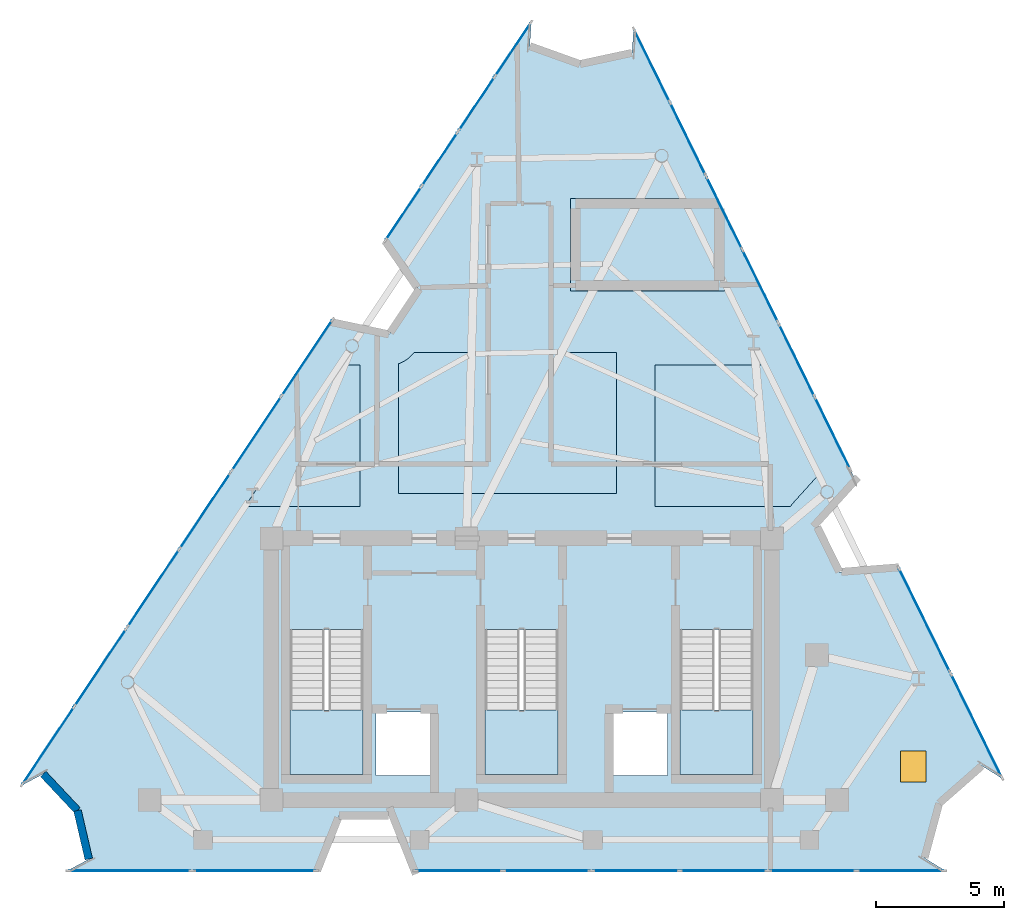
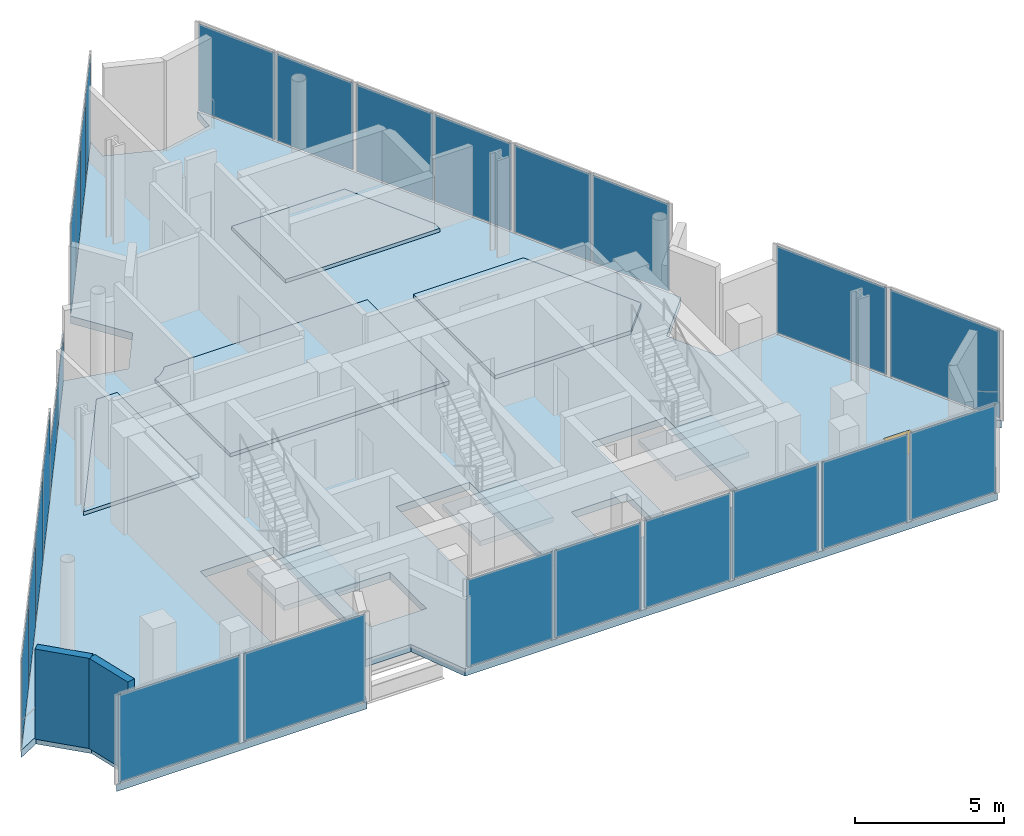
# One storey, part 5 of 9: 26 plates, 8 slabs, 2 walls, 1 door, 1 opening, 18 elements without a shape of their own.
"""IFC4 building model written with IfcOpenShell, lengths in metres."""

from ifc_helpers import new_model, si_unit, direction, frame, frame_2d, origin, origin_2d, place, context, subcontext, project, spatial, polyline, rectangle, outline, extrude, material, layer, layer_set, type_object, element, fill, aggregate, save


model = new_model("IFC4")

# Units and contexts
model_context = context("Model", 3, precision=1e-05, world=origin(), true_north=direction((0.0, 1.0)))
body_context = subcontext(model_context, "Body", "Model", "MODEL_VIEW")
ifc_project = project(units=[si_unit("LENGTHUNIT", "METRE"), si_unit("AREAUNIT", "SQUARE_METRE"), si_unit("VOLUMEUNIT", "CUBIC_METRE"), si_unit("PLANEANGLEUNIT", "RADIAN"), si_unit("MASSUNIT", "GRAM", prefix="KILO")], contexts=[model_context])

# Site, building, storey
site_placement = place(None, origin())
site = spatial("IfcSite", under=ifc_project, at=site_placement, CompositionType="ELEMENT")
building_placement = place(site_placement, origin())
building = spatial("IfcBuilding", under=site, at=building_placement, Name="Almagre Mirador Tower", CompositionType="ELEMENT")
storey_placement = place(building_placement, frame((0.0, 0.0, 310.5)))
storey = spatial("IfcBuildingStorey", under=building, at=storey_placement, Name="L80", CompositionType="ELEMENT", Elevation=310.5)

# Curtain wall, plates
ifc_material_1 = material(Name="Black anodized aluminium", Category="aluminium")
ifc_layer_1 = layer(ifc_material_1, 0.2099609375)
ifc_layer_set_1 = layer_set([ifc_layer_1], Name="Black anodized aluminium")
curtain_wall_type = type_object("IfcCurtainWallType", Name="CW-CRN-SYS", PredefinedType="NOTDEFINED", material=ifc_layer_set_1)
curtain_wall_1_placement = place(storey_placement, origin())
curtain_wall_1 = element("IfcCurtainWall", 1, at=curtain_wall_1_placement, inside=storey, type_object=curtain_wall_type, Name="L80 curtain wall run 01", PredefinedType="NOTDEFINED")
ifc_material_2 = material(Name="Dark solar-control laminated hurricane glass", Category="glass")
ifc_layer_2 = layer(ifc_material_2, 0.030029296875)
ifc_layer_set_2 = layer_set([ifc_layer_2], Name="Dark solar-control laminated hurricane glass")
plate_type = type_object("IfcPlateType", Name="PLT-SPN-30", PredefinedType="CURTAIN_PANEL", material=ifc_layer_set_2)
plate_1_placement = place(storey_placement, frame((18.85498046875, 6.67578125, 0.06494140625), z_axis=(0.0, 0.0, 1.0), x_axis=(0.555222421063, 0.831701907626, 0.0)))
plate_1 = element("IfcPlate", 2, at=plate_1_placement, type_object=plate_type, Name="CW-6 panel 1.1", PredefinedType="CURTAIN_PANEL", context=body_context, shape_type="SweptSolid", body=[
    extrude(rectangle(XDim=3.583984375, YDim=0.030029296875, at=origin_2d()), origin(), (0.0, 0.0, 1.0), 3.570068359375),
])
plate_2_placement = place(storey_placement, frame((20.8837890625, 9.71484375, 0.06494140625), z_axis=(0.0, 0.0, 1.0), x_axis=(0.555222421063, 0.831701907626, 0.0)))
plate_2 = element("IfcPlate", 3, at=plate_2_placement, type_object=plate_type, Name="CW-6 panel 2.1", PredefinedType="CURTAIN_PANEL", context=body_context, shape_type="SweptSolid", body=[
    extrude(rectangle(XDim=3.583984375, YDim=0.030029296875, at=origin_2d()), origin(), (0.0, 0.0, 1.0), 3.570068359375),
])
aggregate(curtain_wall_1, [plate_1, plate_2])

curtain_wall_2_placement = place(storey_placement, origin())
curtain_wall_2 = element("IfcCurtainWall", 4, at=curtain_wall_2_placement, inside=storey, type_object=curtain_wall_type, Name="L80 curtain wall run 02", PredefinedType="NOTDEFINED")
plate_3_placement = place(storey_placement, frame((22.951416015625, 12.812255859375, 0.06494140625), z_axis=(0.0, 0.0, 1.0), x_axis=(0.555222421063, 0.831701907626, 0.0)))
plate_3 = element("IfcPlate", 5, at=plate_3_placement, type_object=plate_type, Name="CW-6 panel 1.1", PredefinedType="CURTAIN_PANEL", context=body_context, shape_type="SweptSolid", body=[
    extrude(rectangle(XDim=3.583984375, YDim=0.030029296875, at=origin_2d()), origin(), (0.0, 0.0, 1.0), 3.570068359375),
])
plate_4_placement = place(storey_placement, frame((24.980224609375, 15.851318359375, 0.06494140625), z_axis=(0.0, 0.0, 1.0), x_axis=(0.555222421063, 0.831701907626, 0.0)))
plate_4 = element("IfcPlate", 6, at=plate_4_placement, type_object=plate_type, Name="CW-6 panel 2.1", PredefinedType="CURTAIN_PANEL", context=body_context, shape_type="SweptSolid", body=[
    extrude(rectangle(XDim=3.583984375, YDim=0.030029296875, at=origin_2d()), origin(), (0.0, 0.0, 1.0), 3.570068359375),
])
aggregate(curtain_wall_2, [plate_3, plate_4])

curtain_wall_3_placement = place(storey_placement, origin())
curtain_wall_3 = element("IfcCurtainWall", 7, at=curtain_wall_3_placement, inside=storey, type_object=curtain_wall_type, Name="L80 curtain wall run 03", PredefinedType="NOTDEFINED")
plate_5_placement = place(storey_placement, frame((26.949462890625, 18.801025390625, 0.06494140625), z_axis=(0.0, 0.0, 1.0), x_axis=(0.555223685545, 0.83170106349, 0.0)))
plate_5 = element("IfcPlate", 8, at=plate_5_placement, type_object=plate_type, Name="CW-6 panel 1.1", PredefinedType="CURTAIN_PANEL", context=body_context, shape_type="SweptSolid", body=[
    extrude(rectangle(XDim=3.509033203125, YDim=0.030029296875, at=origin_2d()), origin(), (0.0, 0.0, 1.0), 1.875),
])
plate_6_placement = place(storey_placement, frame((28.9365234375, 21.77783203125, 0.06494140625), z_axis=(0.0, 0.0, 1.0), x_axis=(0.555223685545, 0.83170106349, 0.0)))
plate_6 = element("IfcPlate", 9, at=plate_6_placement, type_object=plate_type, Name="CW-6 panel 2.1", PredefinedType="CURTAIN_PANEL", context=body_context, shape_type="SweptSolid", body=[
    extrude(rectangle(XDim=3.509033203125, YDim=0.030029296875, at=origin_2d()), origin(), (0.0, 0.0, 1.0), 1.875),
])
aggregate(curtain_wall_3, [plate_5, plate_6])

curtain_wall_4_placement = place(storey_placement, origin())
curtain_wall_4 = element("IfcCurtainWall", 10, at=curtain_wall_4_placement, inside=storey, type_object=curtain_wall_type, Name="L80 curtain wall run 04", PredefinedType="NOTDEFINED")
plate_7_placement = place(storey_placement, frame((32.703857421875, 27.42138671875, 0.06494140625), z_axis=(0.0, 0.0, 1.0), x_axis=(0.555266892846, 0.831672217709, 0.0)))
plate_7 = element("IfcPlate", 11, at=plate_7_placement, type_object=plate_type, Name="CW-6 panel 1.1", PredefinedType="CURTAIN_PANEL", context=body_context, shape_type="SweptSolid", body=[
    extrude(rectangle(XDim=2.4599609375, YDim=0.030029296875, at=origin_2d()), origin(), (0.0, 0.0, 1.0), 3.570068359375),
])
plate_8_placement = place(storey_placement, frame((34.108642578125, 29.525390625, 0.06494140625), z_axis=(0.0, 0.0, 1.0), x_axis=(0.555266892846, 0.831672217709, 0.0)))
plate_8 = element("IfcPlate", 12, at=plate_8_placement, type_object=plate_type, Name="CW-6 panel 2.1", PredefinedType="CURTAIN_PANEL", context=body_context, shape_type="SweptSolid", body=[
    extrude(rectangle(XDim=2.4599609375, YDim=0.030029296875, at=origin_2d()), origin(), (0.0, 0.0, 1.0), 3.570068359375),
])
aggregate(curtain_wall_4, [plate_7, plate_8])

curtain_wall_5_placement = place(storey_placement, origin())
curtain_wall_5 = element("IfcCurtainWall", 13, at=curtain_wall_5_placement, inside=storey, type_object=curtain_wall_type, Name="L80 curtain wall run 05", PredefinedType="NOTDEFINED")
plate_9_placement = place(storey_placement, frame((35.55224609375, 31.687744140625, 0.06494140625), z_axis=(0.0, 0.0, 1.0), x_axis=(0.555266892846, 0.831672217709, 0.0)))
plate_9 = element("IfcPlate", 14, at=plate_9_placement, type_object=plate_type, Name="CW-6 panel 1.1", PredefinedType="CURTAIN_PANEL", context=body_context, shape_type="SweptSolid", body=[
    extrude(rectangle(XDim=2.4599609375, YDim=0.030029296875, at=origin_2d()), origin(), (0.0, 0.0, 1.0), 3.570068359375),
])
plate_10_placement = place(storey_placement, frame((36.95703125, 33.791748046875, 0.06494140625), z_axis=(0.0, 0.0, 1.0), x_axis=(0.555266892846, 0.831672217709, 0.0)))
plate_10 = element("IfcPlate", 15, at=plate_10_placement, type_object=plate_type, Name="CW-6 panel 2.1", PredefinedType="CURTAIN_PANEL", context=body_context, shape_type="SweptSolid", body=[
    extrude(rectangle(XDim=2.4599609375, YDim=0.030029296875, at=origin_2d()), origin(), (0.0, 0.0, 1.0), 3.570068359375),
])
aggregate(curtain_wall_5, [plate_9, plate_10])

curtain_wall_6_placement = place(storey_placement, origin())
curtain_wall_6 = element("IfcCurtainWall", 16, at=curtain_wall_6_placement, inside=storey, type_object=curtain_wall_type, Name="L80 curtain wall run 06", PredefinedType="NOTDEFINED")
plate_11_placement = place(storey_placement, frame((42.378173828125, 33.160888671875, 0.06494140625), z_axis=(0.0, 0.0, 1.0), x_axis=(0.441303756281, -0.897357785219, 0.0)))
plate_11 = element("IfcPlate", 17, at=plate_11_placement, type_object=plate_type, Name="CW-6 panel 1.1", PredefinedType="CURTAIN_PANEL", context=body_context, shape_type="SweptSolid", body=[
    extrude(rectangle(XDim=3.091552734375, YDim=0.030029296875, at=origin_2d()), origin(), (0.0, 0.0, 1.0), 3.570068359375),
])
plate_12_placement = place(storey_placement, frame((43.7734375, 30.32373046875, 0.06494140625), z_axis=(0.0, 0.0, 1.0), x_axis=(0.441303756281, -0.897357785219, 0.0)))
plate_12 = element("IfcPlate", 18, at=plate_12_placement, type_object=plate_type, Name="CW-6 panel 2.1", PredefinedType="CURTAIN_PANEL", context=body_context, shape_type="SweptSolid", body=[
    extrude(rectangle(XDim=3.091552734375, YDim=0.030029296875, at=origin_2d()), origin(), (0.0, 0.0, 1.0), 3.570068359375),
])
aggregate(curtain_wall_6, [plate_11, plate_12])

curtain_wall_7_placement = place(storey_placement, origin())
curtain_wall_7 = element("IfcCurtainWall", 19, at=curtain_wall_7_placement, inside=storey, type_object=curtain_wall_type, Name="L80 curtain wall run 07", PredefinedType="NOTDEFINED")
plate_13_placement = place(storey_placement, frame((45.199462890625, 27.423828125, 0.06494140625), z_axis=(0.0, 0.0, 1.0), x_axis=(0.441297562072, -0.897360831388, 0.0)))
plate_13 = element("IfcPlate", 20, at=plate_13_placement, type_object=plate_type, Name="CW-6 panel 1.1", PredefinedType="CURTAIN_PANEL", context=body_context, shape_type="SweptSolid", body=[
    extrude(rectangle(XDim=3.091552734375, YDim=0.030029296875, at=origin_2d()), origin(), (0.0, 0.0, 1.0), 3.570068359375),
])
plate_14_placement = place(storey_placement, frame((46.5947265625, 24.5869140625, 0.06494140625), z_axis=(0.0, 0.0, 1.0), x_axis=(0.441297562072, -0.897360831388, 0.0)))
plate_14 = element("IfcPlate", 21, at=plate_14_placement, type_object=plate_type, Name="CW-6 panel 2.1", PredefinedType="CURTAIN_PANEL", context=body_context, shape_type="SweptSolid", body=[
    extrude(rectangle(XDim=3.091552734375, YDim=0.030029296875, at=origin_2d()), origin(), (0.0, 0.0, 1.0), 3.570068359375),
])
aggregate(curtain_wall_7, [plate_13, plate_14])

curtain_wall_8_placement = place(storey_placement, origin())
curtain_wall_8 = element("IfcCurtainWall", 22, at=curtain_wall_8_placement, inside=storey, type_object=curtain_wall_type, Name="L80 curtain wall run 08", PredefinedType="NOTDEFINED")
plate_15_placement = place(storey_placement, frame((48.020751953125, 21.68701171875, 0.06494140625), z_axis=(0.0, 0.0, 1.0), x_axis=(0.441303756281, -0.897357785219, 0.0)))
plate_15 = element("IfcPlate", 23, at=plate_15_placement, type_object=plate_type, Name="CW-6 panel 1.1", PredefinedType="CURTAIN_PANEL", context=body_context, shape_type="SweptSolid", body=[
    extrude(rectangle(XDim=3.091552734375, YDim=0.030029296875, at=origin_2d()), origin(), (0.0, 0.0, 1.0), 3.570068359375),
])
plate_16_placement = place(storey_placement, frame((49.416015625, 18.849853515625, 0.06494140625), z_axis=(0.0, 0.0, 1.0), x_axis=(0.441303756281, -0.897357785219, 0.0)))
plate_16 = element("IfcPlate", 24, at=plate_16_placement, type_object=plate_type, Name="CW-6 panel 2.1", PredefinedType="CURTAIN_PANEL", context=body_context, shape_type="SweptSolid", body=[
    extrude(rectangle(XDim=3.091552734375, YDim=0.030029296875, at=origin_2d()), origin(), (0.0, 0.0, 1.0), 3.570068359375),
])
aggregate(curtain_wall_8, [plate_15, plate_16])

# Curtain wall, plate
curtain_wall_9_placement = place(storey_placement, origin())
curtain_wall_9 = element("IfcCurtainWall", 25, at=curtain_wall_9_placement, inside=storey, type_object=curtain_wall_type, Name="L80 curtain wall run 09", PredefinedType="NOTDEFINED")
plate_17_placement = place(storey_placement, frame((52.999755859375, 11.562255859375, 0.06494140625), z_axis=(0.0, 0.0, 1.0), x_axis=(0.441228690585, -0.897394697223, 0.0)))
plate_17 = element("IfcPlate", 26, at=plate_17_placement, type_object=plate_type, Name="CW-6 panel 1.1", PredefinedType="CURTAIN_PANEL", context=body_context, shape_type="SweptSolid", body=[
    extrude(rectangle(XDim=4.44580078125, YDim=0.030029296875, at=origin_2d()), origin(), (0.0, 0.0, 1.0), 3.570068359375),
])
aggregate(curtain_wall_9, [plate_17])

curtain_wall_10_placement = place(storey_placement, origin())
curtain_wall_10 = element("IfcCurtainWall", 27, at=curtain_wall_10_placement, inside=storey, type_object=curtain_wall_type, Name="L80 curtain wall run 10", PredefinedType="NOTDEFINED")
plate_18_placement = place(storey_placement, frame((55.023193359375, 7.44677734375, 0.06494140625), z_axis=(0.0, 0.0, 1.0), x_axis=(0.441228690585, -0.897394697223, 0.0)))
plate_18 = element("IfcPlate", 28, at=plate_18_placement, type_object=plate_type, Name="CW-6 panel 1.1", PredefinedType="CURTAIN_PANEL", context=body_context, shape_type="SweptSolid", body=[
    extrude(rectangle(XDim=4.44580078125, YDim=0.030029296875, at=origin_2d()), origin(), (0.0, 0.0, 1.0), 3.570068359375),
])
aggregate(curtain_wall_10, [plate_18])

# Curtain wall, plates
curtain_wall_11_placement = place(storey_placement, origin())
curtain_wall_11 = element("IfcCurtainWall", 29, at=curtain_wall_11_placement, inside=storey, type_object=curtain_wall_type, Name="L80 curtain wall run 11", PredefinedType="NOTDEFINED")
plate_19_placement = place(storey_placement, frame((52.0595703125, 1.800048828125, 0.06494140625), z_axis=(0.0, 0.0, 1.0), x_axis=(-1.0, 0.0, 0.0)))
plate_19 = element("IfcPlate", 30, at=plate_19_placement, type_object=plate_type, Name="CW-6 panel 1.1", PredefinedType="CURTAIN_PANEL", context=body_context, shape_type="SweptSolid", body=[
    extrude(rectangle(XDim=3.34033203125, YDim=0.030029296875, at=origin_2d()), origin(), (0.0, 0.0, 1.0), 3.570068359375),
])
plate_20_placement = place(storey_placement, frame((48.6494140625, 1.800048828125, 0.06494140625), z_axis=(0.0, 0.0, 1.0), x_axis=(-1.0, 0.0, 0.0)))
plate_20 = element("IfcPlate", 31, at=plate_20_placement, type_object=plate_type, Name="CW-6 panel 2.1", PredefinedType="CURTAIN_PANEL", context=body_context, shape_type="SweptSolid", body=[
    extrude(rectangle(XDim=3.34033203125, YDim=0.030029296875, at=origin_2d()), origin(), (0.0, 0.0, 1.0), 3.570068359375),
])
aggregate(curtain_wall_11, [plate_19, plate_20])

curtain_wall_12_placement = place(storey_placement, origin())
curtain_wall_12 = element("IfcCurtainWall", 32, at=curtain_wall_12_placement, inside=storey, type_object=curtain_wall_type, Name="L80 curtain wall run 12", PredefinedType="NOTDEFINED")
plate_21_placement = place(storey_placement, frame((45.169189453125, 1.800048828125, 0.06494140625), z_axis=(0.0, 0.0, 1.0), x_axis=(-1.0, 0.0, 0.0)))
plate_21 = element("IfcPlate", 33, at=plate_21_placement, type_object=plate_type, Name="CW-6 panel 1.1", PredefinedType="CURTAIN_PANEL", context=body_context, shape_type="SweptSolid", body=[
    extrude(rectangle(XDim=3.34033203125, YDim=0.030029296875, at=origin_2d()), origin(), (0.0, 0.0, 1.0), 3.570068359375),
])
plate_22_placement = place(storey_placement, frame((41.7587890625, 1.800048828125, 0.06494140625), z_axis=(0.0, 0.0, 1.0), x_axis=(-1.0, 0.0, 0.0)))
plate_22 = element("IfcPlate", 34, at=plate_22_placement, type_object=plate_type, Name="CW-6 panel 2.1", PredefinedType="CURTAIN_PANEL", context=body_context, shape_type="SweptSolid", body=[
    extrude(rectangle(XDim=3.34033203125, YDim=0.030029296875, at=origin_2d()), origin(), (0.0, 0.0, 1.0), 3.570068359375),
])
aggregate(curtain_wall_12, [plate_21, plate_22])

curtain_wall_13_placement = place(storey_placement, origin())
curtain_wall_13 = element("IfcCurtainWall", 35, at=curtain_wall_13_placement, inside=storey, type_object=curtain_wall_type, Name="L80 curtain wall run 13", PredefinedType="NOTDEFINED")
plate_23_placement = place(storey_placement, frame((38.278564453125, 1.800048828125, 0.06494140625), z_axis=(0.0, 0.0, 1.0), x_axis=(-1.0, 0.0, 0.0)))
plate_23 = element("IfcPlate", 36, at=plate_23_placement, type_object=plate_type, Name="CW-6 panel 1.1", PredefinedType="CURTAIN_PANEL", context=body_context, shape_type="SweptSolid", body=[
    extrude(rectangle(XDim=3.34033203125, YDim=0.030029296875, at=origin_2d()), origin(), (0.0, 0.0, 1.0), 3.570068359375),
])
plate_24_placement = place(storey_placement, frame((34.868408203125, 1.800048828125, 0.06494140625), z_axis=(0.0, 0.0, 1.0), x_axis=(-1.0, 0.0, 0.0)))
plate_24 = element("IfcPlate", 37, at=plate_24_placement, type_object=plate_type, Name="CW-6 panel 2.1", PredefinedType="CURTAIN_PANEL", context=body_context, shape_type="SweptSolid", body=[
    extrude(rectangle(XDim=3.34033203125, YDim=0.030029296875, at=origin_2d()), origin(), (0.0, 0.0, 1.0), 3.570068359375),
])
aggregate(curtain_wall_13, [plate_23, plate_24])

# Curtain wall, plate
curtain_wall_14_placement = place(storey_placement, origin())
curtain_wall_14 = element("IfcCurtainWall", 38, at=curtain_wall_14_placement, inside=storey, type_object=curtain_wall_type, Name="L80 curtain wall run 14", PredefinedType="NOTDEFINED")
plate_25_placement = place(storey_placement, frame((26.89599609375, 1.800048828125, 0.06494140625), z_axis=(0.0, 0.0, 1.0), x_axis=(-1.0, 0.0, 0.0)))
plate_25 = element("IfcPlate", 39, at=plate_25_placement, type_object=plate_type, Name="CW-6 panel 1.1", PredefinedType="CURTAIN_PANEL", context=body_context, shape_type="SweptSolid", body=[
    extrude(rectangle(XDim=4.723876953125, YDim=0.030029296875, at=origin_2d()), origin(), (0.0, 0.0, 1.0), 3.570068359375),
])
aggregate(curtain_wall_14, [plate_25])

curtain_wall_15_placement = place(storey_placement, origin())
curtain_wall_15 = element("IfcCurtainWall", 40, at=curtain_wall_15_placement, inside=storey, type_object=curtain_wall_type, Name="L80 curtain wall run 15", PredefinedType="NOTDEFINED")
plate_26_placement = place(storey_placement, frame((22.031982421875, 1.800048828125, 0.06494140625), z_axis=(0.0, 0.0, 1.0), x_axis=(-1.0, 0.0, 0.0)))
plate_26 = element("IfcPlate", 41, at=plate_26_placement, type_object=plate_type, Name="CW-6 panel 1.1", PredefinedType="CURTAIN_PANEL", context=body_context, shape_type="SweptSolid", body=[
    extrude(rectangle(XDim=4.723876953125, YDim=0.030029296875, at=origin_2d()), origin(), (0.0, 0.0, 1.0), 3.570068359375),
])
aggregate(curtain_wall_15, [plate_26])

# Slab, opening, door
ifc_material_3 = material(Name="Concrete C45/55", Category="concrete")
ifc_layer_3 = layer(ifc_material_3, 0.300048828125)
ifc_layer_set_3 = layer_set([ifc_layer_3], Name="Concrete C45/55")
slab_type_1 = type_object("IfcSlabType", Name="SLB-FLR-300", PredefinedType="FLOOR", material=ifc_layer_set_3)
slab_1_placement = place(storey_placement, frame((0.0, 0.0, -0.300048828125)))
slab_1 = element("IfcSlab", 42, at=slab_1_placement, inside=storey, type_object=slab_type_1, Name="L80 structural floor slab", PredefinedType="FLOOR", context=body_context, shape_type="SweptSolid", body=[
    extrude(outline(polyline([(17.8212890625, 5.127197265625), (18.647216796875, 5.568359375), (18.648193359375, 5.56884765625), (18.649169921875, 5.569091796875), (18.650146484375, 5.5693359375), (18.651123046875, 5.569580078125), (18.652099609375, 5.569580078125), (18.653076171875, 5.569580078125), (18.654052734375, 5.5693359375), (18.655029296875, 5.569091796875), (18.656005859375, 5.568603515625), (18.656982421875, 5.568359375), (18.65771484375, 5.567626953125), (18.658447265625, 5.567138671875), (18.6591796875, 5.56640625), (19.9892578125, 4.14990234375), (19.98974609375, 4.149169921875), (19.990478515625, 4.148193359375), (19.990966796875, 4.1474609375), (19.9912109375, 4.146484375), (19.99169921875, 4.1455078125), (20.431396484375, 2.25341796875), (20.431396484375, 2.25244140625), (20.431396484375, 2.25146484375), (20.431396484375, 2.25048828125), (20.431396484375, 2.24951171875), (20.43115234375, 2.24853515625), (20.430908203125, 2.24755859375), (20.430419921875, 2.24658203125), (20.429931640625, 2.245849609375), (20.42919921875, 2.244873046875), (20.4287109375, 2.244140625), (20.427978515625, 2.243408203125), (20.427001953125, 2.242919921875), (20.42626953125, 2.242431640625), (19.60009765625, 1.800048828125), (19.60009765625, 1.800048828125), (19.60009765625, 1.800048828125), (29.327880859375, 1.800048828125), (29.327880859375, 1.800048828125), (29.328125, 1.80029296875), (30.180419921875, 3.943603515625), (30.180908203125, 3.944580078125), (30.181396484375, 3.945556640625), (30.181884765625, 3.9462890625), (30.1826171875, 3.947021484375), (30.183349609375, 3.94775390625), (30.18408203125, 3.9482421875), (30.18505859375, 3.94873046875), (30.185791015625, 3.94921875), (30.186767578125, 3.94970703125), (30.187744140625, 3.94970703125), (30.188720703125, 3.949951171875), (30.189697265625, 3.949951171875), (32.26611328125, 3.949951171875), (32.26708984375, 3.949951171875), (32.268310546875, 3.94970703125), (32.269287109375, 3.94970703125), (32.27001953125, 3.94921875), (32.27099609375, 3.94873046875), (32.271728515625, 3.9482421875), (32.272705078125, 3.94775390625), (32.2734375, 3.947021484375), (32.27392578125, 3.9462890625), (32.274658203125, 3.945556640625), (32.275146484375, 3.944580078125), (32.275390625, 3.943603515625), (33.1279296875, 1.80029296875), (33.1279296875, 1.800048828125), (33.128173828125, 1.800048828125), (53.7998046875, 1.800048828125), (53.800048828125, 1.800048828125), (53.7998046875, 1.800048828125), (53.00439453125, 2.295166015625), (53.00341796875, 2.295654296875), (53.002685546875, 2.29638671875), (53.002197265625, 2.297119140625), (53.00146484375, 2.297607421875), (53.0009765625, 2.298583984375), (53.00048828125, 2.29931640625), (53.0, 2.30029296875), (52.999755859375, 2.30126953125), (52.999755859375, 2.30224609375), (52.99951171875, 2.30322265625), (52.99951171875, 2.30419921875), (52.999755859375, 2.30517578125), (53.0, 2.30615234375), (53.5712890625, 4.42919921875), (53.571533203125, 4.429931640625), (53.572021484375, 4.430908203125), (53.572509765625, 4.431884765625), (53.572998046875, 4.4326171875), (53.573486328125, 4.433349609375), (53.57421875, 4.43408203125), (55.227294921875, 5.884033203125), (55.228271484375, 5.884765625), (55.22900390625, 5.88525390625), (55.22998046875, 5.8857421875), (55.230712890625, 5.885986328125), (55.231689453125, 5.88623046875), (55.232666015625, 5.886474609375), (55.233642578125, 5.88671875), (55.234619140625, 5.88671875), (55.235595703125, 5.886474609375), (55.236572265625, 5.88623046875), (55.237548828125, 5.885986328125), (55.23828125, 5.885498046875), (55.2392578125, 5.885009765625), (56.034912109375, 5.38916015625), (56.034912109375, 5.388916015625), (56.034912109375, 5.38916015625), (51.988037109375, 13.619873046875), (51.988037109375, 13.6201171875), (51.98779296875, 13.6201171875), (49.687744140625, 13.4384765625), (49.686767578125, 13.4384765625), (49.685791015625, 13.438720703125), (49.684814453125, 13.438720703125), (49.683837890625, 13.43896484375), (49.682861328125, 13.439453125), (49.681884765625, 13.439697265625), (49.68115234375, 13.440185546875), (49.680419921875, 13.44091796875), (49.6796875, 13.441650390625), (49.67919921875, 13.4423828125), (49.678466796875, 13.443115234375), (49.677978515625, 13.444091796875), (48.761962890625, 15.307861328125), (48.76171875, 15.308837890625), (48.76123046875, 15.309814453125), (48.760986328125, 15.310791015625), (48.760986328125, 15.311767578125), (48.760986328125, 15.312744140625), (48.760986328125, 15.313720703125), (48.76123046875, 15.314697265625), (48.761474609375, 15.315673828125), (48.761962890625, 15.316650390625), (48.762451171875, 15.3173828125), (48.762939453125, 15.318359375), (48.763671875, 15.319091796875), (50.310791015625, 17.02978515625), (50.31103515625, 17.030029296875), (50.310791015625, 17.0302734375), (50.12890625, 17.39990234375), (41.6650390625, 34.61083984375), (41.6650390625, 34.611083984375), (41.6650390625, 34.61083984375), (41.603515625, 33.675537109375), (41.603515625, 33.674560546875), (41.603271484375, 33.673583984375), (41.602783203125, 33.672607421875), (41.6025390625, 33.671630859375), (41.60205078125, 33.6708984375), (41.601318359375, 33.669921875), (41.600830078125, 33.669189453125), (41.60009765625, 33.668701171875), (41.59912109375, 33.66796875), (41.598388671875, 33.66748046875), (41.597412109375, 33.6669921875), (41.5966796875, 33.666748046875), (41.595703125, 33.66650390625), (39.57568359375, 33.231689453125), (39.574951171875, 33.2314453125), (39.573974609375, 33.2314453125), (39.572998046875, 33.2314453125), (39.572021484375, 33.2314453125), (39.5712890625, 33.231689453125), (39.5703125, 33.23193359375), (37.6240234375, 33.927490234375), (37.623291015625, 33.927734375), (37.622314453125, 33.92822265625), (37.62158203125, 33.928955078125), (37.62060546875, 33.929443359375), (37.6201171875, 33.93017578125), (37.619384765625, 33.930908203125), (37.618896484375, 33.931884765625), (37.618408203125, 33.9326171875), (37.617919921875, 33.93359375), (37.61767578125, 33.9345703125), (37.61767578125, 33.935546875), (37.617431640625, 33.9365234375), (37.617431640625, 33.9375), (37.678955078125, 34.872802734375), (37.678955078125, 34.873046875), (37.678955078125, 34.872802734375), (31.982177734375, 26.340087890625), (31.98193359375, 26.340087890625), (31.982177734375, 26.33984375), (33.2919921875, 24.440673828125), (33.292724609375, 24.439697265625), (33.293212890625, 24.43896484375), (33.29345703125, 24.43798828125), (33.293701171875, 24.43701171875), (33.2939453125, 24.43603515625), (33.2939453125, 24.43505859375), (33.2939453125, 24.43408203125), (33.293701171875, 24.43310546875), (33.29345703125, 24.431884765625), (33.293212890625, 24.43115234375), (33.292724609375, 24.43017578125), (33.292236328125, 24.429443359375), (32.138916015625, 22.70263671875), (32.13818359375, 22.701904296875), (32.137451171875, 22.701171875), (32.13671875, 22.700439453125), (32.135986328125, 22.699951171875), (32.135009765625, 22.69921875), (32.13427734375, 22.698974609375), (32.13330078125, 22.698486328125), (32.13232421875, 22.698486328125), (32.13134765625, 22.6982421875), (32.13037109375, 22.6982421875), (32.12939453125, 22.6982421875), (32.12841796875, 22.698486328125), (29.872314453125, 23.178955078125), (29.8720703125, 23.178955078125), (29.871826171875, 23.1787109375), (26.01416015625, 17.39990234375), (17.821044921875, 5.127197265625), (17.821044921875, 5.126953125), (17.8212890625, 5.127197265625)]), holes=[polyline([(43.47509765625, 5.550048828125), (43.47509765625, 11.196044921875), (46.324951171875, 11.196044921875), (46.324951171875, 5.550048828125), (43.47509765625, 5.550048828125)]), polyline([(42.97998046875, 7.97998046875), (42.97998046875, 5.52001953125), (40.820068359375, 5.52001953125), (40.820068359375, 7.97998046875), (42.97998046875, 7.97998046875)]), polyline([(35.875, 5.550048828125), (35.875, 11.196044921875), (38.72509765625, 11.196044921875), (38.72509765625, 5.550048828125), (35.875, 5.550048828125)]), polyline([(33.780029296875, 7.97998046875), (33.780029296875, 5.52001953125), (31.6201171875, 5.52001953125), (31.6201171875, 7.97998046875), (33.780029296875, 7.97998046875)]), polyline([(31.125, 5.550048828125), (28.27490234375, 5.550048828125), (28.27490234375, 11.196044921875), (31.125, 11.196044921875), (31.125, 5.550048828125)])]), origin(), (0.0, 0.0, 1.0), 0.300048828125),
])
opening_placement = place(slab_1_placement, frame((52.56103515625, 5.85595703125, 0.0)))
opening = element("IfcOpeningElement", 43, at=opening_placement, cuts=slab_1, Name="Opening RH-01", PredefinedType="OPENING", context=body_context, shape_type="SweptSolid", body=[
    extrude(rectangle(XDim=1.0, YDim=1.199951171875, at=origin_2d()), origin(), (0.0, 0.0, 1.0), 0.300048828125),
])
ifc_material_4 = material(Name="Insulated aluminium roof hatch", Category="aluminium")
door_type = type_object("IfcDoorType", Name="DOR-HAT-1000X1200", OperationType="SINGLE_SWING_LEFT", PredefinedType="TRAPDOOR", material=ifc_material_4)
door_placement = place(opening_placement, frame((0.0, 0.0, 0.25)))
door = element("IfcDoor", 44, at=door_placement, inside=storey, type_object=door_type, Name="DR-2352 L80 mechanical access hatch RH-04", OperationType="SINGLE_SWING_LEFT", OverallHeight=1.199951171875, OverallWidth=1.0, PredefinedType="TRAPDOOR", context=body_context, shape_type="SweptSolid", body=[
    extrude(rectangle(XDim=1.0, YDim=1.199951171875, at=origin_2d()), origin(), (0.0, 0.0, 1.0), 0.050048828125),
])
fill(opening, door)

# Stair, slab
ifc_material_5 = material(Name="Concrete C45/55", Category="concrete")
stair_type = type_object("IfcStairType", Name="STR-DL-4000", PredefinedType="HALF_TURN_STAIR", material=ifc_material_5)
stair_1_placement = place(storey_placement, origin())
stair_1 = element("IfcStair", 45, at=stair_1_placement, inside=storey, type_object=stair_type, Name="L80 Protected exit stair ST-1", PredefinedType="HALF_TURN_STAIR")
ifc_material_6 = material(Name="Concrete C45/55", Category="concrete")
ifc_layer_4 = layer(ifc_material_6, 0.199951171875)
ifc_layer_set_4 = layer_set([ifc_layer_4], Name="Concrete C45/55")
slab_type_2 = type_object("IfcSlabType", Name="SLB-LND-200", PredefinedType="LANDING", material=ifc_layer_set_4)
slab_2_placement = place(storey_placement, frame((0.0, 0.0, 1.800048828125)))
slab_2 = element("IfcSlab", 46, at=slab_2_placement, type_object=slab_type_2, Name="ST-1 landing 1", PredefinedType="LANDING", context=body_context, shape_type="SweptSolid", body=[
    extrude(outline(polyline([(28.27490234375, 8.06494140625), (28.27490234375, 5.550048828125), (31.125, 5.550048828125), (31.125, 8.06494140625), (28.27490234375, 8.06494140625)])), origin(), (0.0, 0.0, 1.0), 0.199951171875),
])
aggregate(stair_1, [slab_2])

stair_2_placement = place(storey_placement, origin())
stair_2 = element("IfcStair", 47, at=stair_2_placement, inside=storey, type_object=stair_type, Name="L80 Protected exit stair ST-2", PredefinedType="HALF_TURN_STAIR")
slab_3_placement = place(storey_placement, frame((0.0, 0.0, 1.800048828125)))
slab_3 = element("IfcSlab", 48, at=slab_3_placement, type_object=slab_type_2, Name="ST-2 landing 1", PredefinedType="LANDING", context=body_context, shape_type="SweptSolid", body=[
    extrude(outline(polyline([(35.875, 8.06494140625), (35.875, 5.550048828125), (38.72509765625, 5.550048828125), (38.72509765625, 8.06494140625), (35.875, 8.06494140625)])), origin(), (0.0, 0.0, 1.0), 0.199951171875),
])
aggregate(stair_2, [slab_3])

stair_3_placement = place(storey_placement, origin())
stair_3 = element("IfcStair", 49, at=stair_3_placement, inside=storey, type_object=stair_type, Name="L80 Protected exit stair ST-3", PredefinedType="HALF_TURN_STAIR")
slab_4_placement = place(storey_placement, frame((0.0, 0.0, 1.800048828125)))
slab_4 = element("IfcSlab", 50, at=slab_4_placement, type_object=slab_type_2, Name="ST-3 landing 1", PredefinedType="LANDING", context=body_context, shape_type="SweptSolid", body=[
    extrude(outline(polyline([(43.47509765625, 8.06494140625), (43.47509765625, 5.550048828125), (46.324951171875, 5.550048828125), (46.324951171875, 8.06494140625), (43.47509765625, 8.06494140625)])), origin(), (0.0, 0.0, 1.0), 0.199951171875),
])
aggregate(stair_3, [slab_4])

# Slabs
ifc_material_7 = material(Name="Concrete C45/55", Category="concrete")
ifc_layer_5 = layer(ifc_material_7, 0.14990234375)
ifc_layer_set_5 = layer_set([ifc_layer_5], Name="Concrete C45/55")
slab_type_3 = type_object("IfcSlabType", Name="SLB-PLN-150", PredefinedType="FLOOR", material=ifc_layer_set_5)
slab_5_placement = place(storey_placement, origin())
element("IfcSlab", 51, at=slab_5_placement, inside=storey, type_object=slab_type_3, Name="L80 Chiller Plant Plinth", PredefinedType="FLOOR", context=body_context, shape_type="SweptSolid", body=[
    extrude(outline(polyline([(30.194091796875, 21.5), (27.01220703125, 16.733642578125), (26.522216796875, 16.0), (31.0, 16.0), (31.0, 21.5), (30.194091796875, 21.5)])), origin(), (0.0, 0.0, 1.0), 0.14990234375),
])
slab_6_placement = place(storey_placement, origin())
element("IfcSlab", 52, at=slab_6_placement, inside=storey, type_object=slab_type_3, Name="L80 Cooling Tower Plant Plinth", PredefinedType="FLOOR", context=body_context, shape_type="SweptSolid", body=[
    extrude(outline(polyline([(47.776611328125, 16.0), (47.833984375, 16.077880859375), (47.834716796875, 16.078857421875), (47.87353515625, 16.123779296875), (48.874755859375, 17.231201171875), (46.775390625, 21.5), (42.5, 21.5), (42.5, 16.0), (47.776611328125, 16.0)])), origin(), (0.0, 0.0, 1.0), 0.14990234375),
])
slab_7_placement = place(storey_placement, origin())
element("IfcSlab", 53, at=slab_7_placement, inside=storey, type_object=slab_type_3, Name="L80 Air Handling Unit Plant Plinth", PredefinedType="FLOOR", context=body_context, shape_type="SweptSolid", body=[
    extrude(outline(polyline([(33.111083984375, 22.0), (33.102294921875, 21.9873046875), (33.101806640625, 21.986572265625), (33.02587890625, 21.89453125), (33.025390625, 21.893798828125), (32.94091796875, 21.809814453125), (32.940185546875, 21.80908203125), (32.847900390625, 21.73388671875), (32.84716796875, 21.7333984375), (32.747802734375, 21.66748046875), (32.746826171875, 21.6669921875), (32.6416015625, 21.611328125), (32.640625, 21.611083984375), (32.5302734375, 21.566162109375), (32.529296875, 21.56591796875), (32.5, 21.55712890625), (32.5, 16.5), (41.0, 16.5), (41.0, 22.0), (33.111083984375, 22.0)])), origin(), (0.0, 0.0, 1.0), 0.14990234375),
])
slab_8_placement = place(storey_placement, origin())
element("IfcSlab", 54, at=slab_8_placement, inside=storey, type_object=slab_type_3, Name="L80 Crown Tuned Liquid Damper Tank Plinth", PredefinedType="FLOOR", context=body_context, shape_type="SweptSolid", body=[
    extrude(outline(polyline([(45.199951171875, 24.70361328125), (43.578857421875, 28.0), (39.199951171875, 28.0), (39.199951171875, 24.39990234375), (45.199951171875, 24.39990234375), (45.199951171875, 24.70361328125)])), origin(), (0.0, 0.0, 1.0), 0.14990234375),
])

# Walls
ifc_material_8 = material(Name="Precast concrete C50/60", Category="concrete")
ifc_layer_6 = layer(ifc_material_8, 0.300048828125)
ifc_layer_set_6 = layer_set([ifc_layer_6], Name="Precast concrete C50/60")
wall_type = type_object("IfcWallType", Name="WAL-EXT-300", PredefinedType="SOLIDWALL", material=ifc_layer_set_6)
wall_1_placement = place(storey_placement, frame((20.431396484375, 2.25341796875, 0.0), z_axis=(0.0, 0.0, 1.0), x_axis=(-0.226355436514, 0.97404477123, 0.0)))
element("IfcWall", 55, at=wall_1_placement, inside=storey, type_object=wall_type, Name="L80 expressed almagre precast frame wall 14", PredefinedType="SOLIDWALL", context=body_context, shape_type="SweptSolid", body=[
    extrude(rectangle(XDim=1.942626953125, YDim=0.300048828125, at=frame_2d((0.97119140625, 0.0))), origin(), (0.0, 0.0, 1.0), 3.699951171875),
])
wall_2_placement = place(storey_placement, frame((19.9892578125, 4.14990234375, 0.0), z_axis=(0.0, 0.0, 1.0), x_axis=(-0.684517683679, 0.728996255636, 0.0)))
element("IfcWall", 56, at=wall_2_placement, inside=storey, type_object=wall_type, Name="L80 expressed almagre precast frame wall 15", PredefinedType="SOLIDWALL", context=body_context, shape_type="SweptSolid", body=[
    extrude(rectangle(XDim=1.943115234375, YDim=0.300048828125, at=frame_2d((0.9716796875, 0.0))), origin(), (0.0, 0.0, 1.0), 3.699951171875),
])

save(model, "model.ifc")
